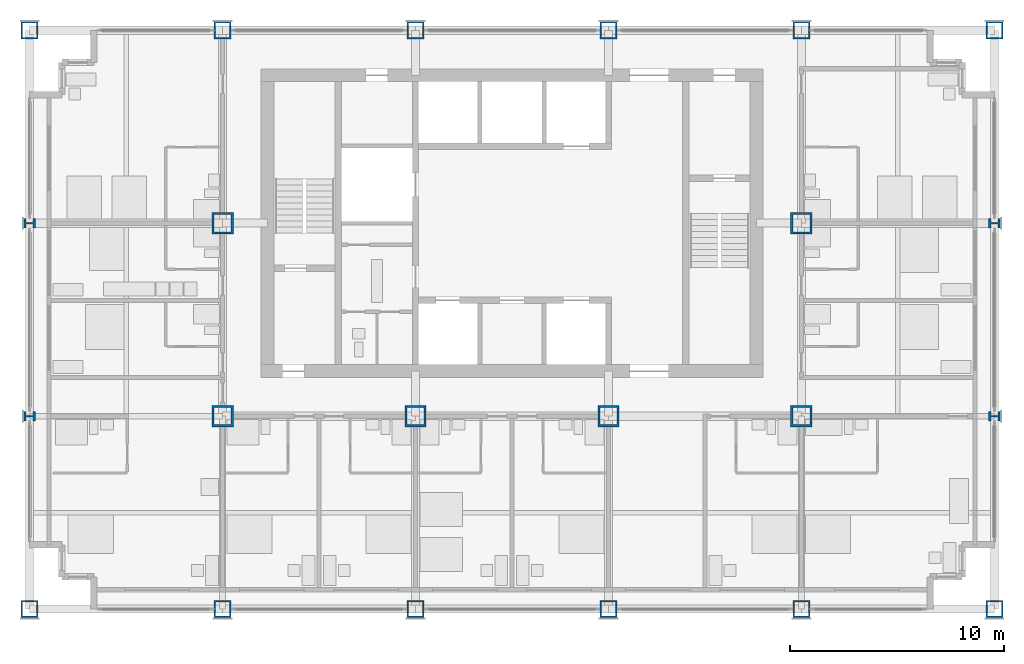
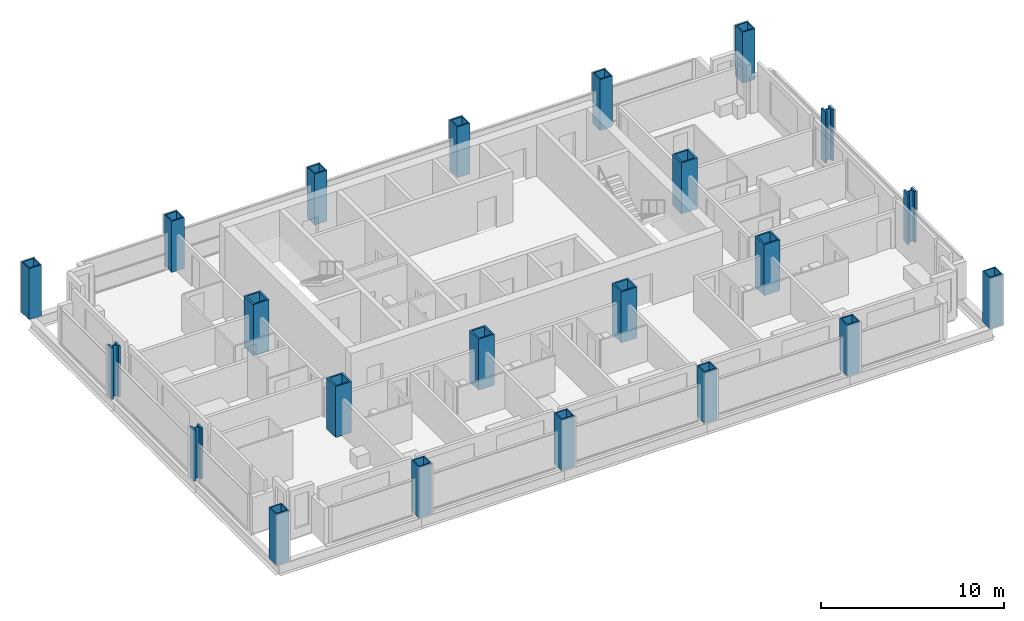
# One storey, part 1 of 13: 22 columns.
"""IFC4 building model written with IfcOpenShell, lengths in metres."""

from ifc_helpers import new_model, si_unit, direction, frame, origin, origin_2d, place, context, subcontext, project, spatial, hollow_rectangle, i_section, extrude, material, material_profile, profile_set, type_object, element, save


model = new_model("IFC4")

# Units and contexts
model_context = context("Model", 3, precision=1e-05, world=origin(), true_north=direction((0.0, 1.0)))
body_context = subcontext(model_context, "Body", "Model", "MODEL_VIEW")
ifc_project = project(units=[si_unit("LENGTHUNIT", "METRE"), si_unit("AREAUNIT", "SQUARE_METRE"), si_unit("VOLUMEUNIT", "CUBIC_METRE"), si_unit("PLANEANGLEUNIT", "RADIAN"), si_unit("MASSUNIT", "GRAM", prefix="KILO")], contexts=[model_context])

# Site, building, storey
site_placement = place(None, origin())
site = spatial("IfcSite", under=ifc_project, at=site_placement, CompositionType="ELEMENT")
building_placement = place(site_placement, origin())
building = spatial("IfcBuilding", under=site, at=building_placement, Name="Loomwork Tower", CompositionType="ELEMENT")
storey_placement = place(building_placement, frame((0.0, 0.0, 163.800048828125)))
storey = spatial("IfcBuildingStorey", under=building, at=storey_placement, Name="L44", CompositionType="ELEMENT", Elevation=163.800048828125)

# Columns
ifc_material_1 = material(Name="Steel ASTM A572 Grade 50 plate", Category="steel")
ifc_material_profile_1 = material_profile(ifc_material_1, hollow_rectangle(XDim=0.800048828125, YDim=0.800048828125, WallThickness=0.070068359375, at=origin_2d()), Name="BOX800x70")
ifc_profile_set_1 = profile_set([ifc_material_profile_1], Name="Steel ASTM A572 Grade 50 plate")
column_type_1 = type_object("IfcColumnType", Name="EXOSKELETON PIER BOX800x70", PredefinedType="COLUMN", material=ifc_profile_set_1)
for number, where, z_axis, x_axis, name in (
    (1, (0.0, 0.0, 0.0), (0.0, 0.0, 1.0), (1.0, 0.0, 0.0), "Exoskeleton Pier D/2 L44"),
    (2, (0.0, 27.0, 0.0), (0.0, 0.0, 1.0), (0.0, 1.0, 0.0), "Exoskeleton Pier G/2 L44"),
    (3, (9.0, 0.0, 0.0), (0.0, 0.0, 1.0), (1.0, 0.0, 0.0), "Exoskeleton Pier D/3 L44"),
    (4, (9.0, 27.0, 0.0), (0.0, 0.0, 1.0), (1.0, 0.0, 0.0), "Exoskeleton Pier G/3 L44"),
    (5, (18.0, 0.0, 0.0), (0.0, 0.0, 1.0), (1.0, 0.0, 0.0), "Exoskeleton Pier D/4 L44"),
    (6, (18.0, 27.0, 0.0), (0.0, 0.0, 1.0), (1.0, 0.0, 0.0), "Exoskeleton Pier G/4 L44"),
    (7, (27.0, 0.0, 0.0), (0.0, 0.0, 1.0), (1.0, 0.0, 0.0), "Exoskeleton Pier D/5 L44"),
    (8, (27.0, 27.0, 0.0), (0.0, 0.0, 1.0), (1.0, 0.0, 0.0), "Exoskeleton Pier G/5 L44"),
    (9, (36.0, 0.0, 0.0), (0.0, 0.0, 1.0), (1.0, 0.0, 0.0), "Exoskeleton Pier D/6 L44"),
    (10, (36.0, 27.0, 0.0), (0.0, 0.0, 1.0), (1.0, 0.0, 0.0), "Exoskeleton Pier G/6 L44"),
    (11, (45.0, 0.0, 0.0), (0.0, 0.0, 1.0), (1.0, 0.0, 0.0), "Exoskeleton Pier D/7 L44"),
    (12, (45.0, 27.0, 0.0), (0.0, 0.0, 1.0), (0.0, 1.0, 0.0), "Exoskeleton Pier G/7 L44"),
):
    element("IfcColumn", number, at=place(storey_placement, frame(where, z_axis=z_axis, x_axis=x_axis)), inside=storey, type_object=column_type_1, Name=name, PredefinedType="COLUMN", context=body_context, shape_type="SweptSolid", body=[
        extrude(hollow_rectangle(XDim=0.800048828125, YDim=0.800048828125, WallThickness=0.070068359375, at=origin_2d()), origin(), (0.0, 0.0, 1.0), 3.39990234375),
    ])
ifc_material_2 = material(Name="Steel ASTM A992", Category="steel")
ifc_material_profile_2 = material_profile(ifc_material_2, i_section(OverallWidth=0.449462890625, OverallDepth=0.548583984375, WebThickness=0.07177734375, FlangeThickness=0.11474609375, at=origin_2d()), Name="W14x665")
ifc_profile_set_2 = profile_set([ifc_material_profile_2], Name="Steel ASTM A992")
column_type_2 = type_object("IfcColumnType", Name="EXOSKELETON PIER W14x665", PredefinedType="COLUMN", material=ifc_profile_set_2)
for number, where, z_axis, x_axis, name in (
    (13, (0.0, 9.0, 0.0), (0.0, 0.0, 1.0), (0.0, 1.0, 0.0), "Exoskeleton Pier E/2 L44"),
    (14, (0.0, 18.0, 0.0), (0.0, 0.0, 1.0), (0.0, 1.0, 0.0), "Exoskeleton Pier F/2 L44"),
    (15, (45.0, 9.0, 0.0), (0.0, 0.0, 1.0), (0.0, 1.0, 0.0), "Exoskeleton Pier E/7 L44"),
    (16, (45.0, 18.0, 0.0), (0.0, 0.0, 1.0), (0.0, 1.0, 0.0), "Exoskeleton Pier F/7 L44"),
):
    element("IfcColumn", number, at=place(storey_placement, frame(where, z_axis=z_axis, x_axis=x_axis)), inside=storey, type_object=column_type_2, Name=name, PredefinedType="COLUMN", context=body_context, shape_type="SweptSolid", body=[
        extrude(i_section(OverallWidth=0.449462890625, OverallDepth=0.548583984375, WebThickness=0.07177734375, FlangeThickness=0.11474609375, at=origin_2d()), origin(), (0.0, 0.0, 1.0), 3.39990234375),
    ])
ifc_material_3 = material(Name="Steel ASTM A572 Grade 50 plate", Category="steel")
ifc_material_profile_3 = material_profile(ifc_material_3, hollow_rectangle(XDim=1.0, YDim=1.0, WallThickness=0.10009765625, at=origin_2d()), Name="BOX1000x100")
ifc_profile_set_3 = profile_set([ifc_material_profile_3], Name="Steel ASTM A572 Grade 50 plate")
column_type_3 = type_object("IfcColumnType", Name="TOWER COLUMN BOX1000x100", PredefinedType="COLUMN", material=ifc_profile_set_3)
for number, where, z_axis, x_axis, name in (
    (17, (9.0, 9.0, 0.0), (0.0, 0.0, 1.0), (1.0, 0.0, 0.0), "Tower Column E/3 L44"),
    (18, (9.0, 18.0, 0.0), (0.0, 0.0, 1.0), (1.0, 0.0, 0.0), "Tower Column F/3 L44"),
    (19, (18.0, 9.0, 0.0), (0.0, 0.0, 1.0), (1.0, 0.0, 0.0), "Tower Column E/4 L44"),
    (20, (27.0, 9.0, 0.0), (0.0, 0.0, 1.0), (1.0, 0.0, 0.0), "Tower Column E/5 L44"),
    (21, (36.0, 9.0, 0.0), (0.0, 0.0, 1.0), (0.0, 1.0, 0.0), "Tower Column E/6 L44"),
    (22, (36.0, 18.0, 0.0), (0.0, 0.0, 1.0), (0.0, 1.0, 0.0), "Tower Column F/6 L44"),
):
    element("IfcColumn", number, at=place(storey_placement, frame(where, z_axis=z_axis, x_axis=x_axis)), inside=storey, type_object=column_type_3, Name=name, PredefinedType="COLUMN", context=body_context, shape_type="SweptSolid", body=[
        extrude(hollow_rectangle(XDim=1.0, YDim=1.0, WallThickness=0.10009765625, at=origin_2d()), origin(), (0.0, 0.0, 1.0), 3.39990234375),
    ])

save(model, "model.ifc")
